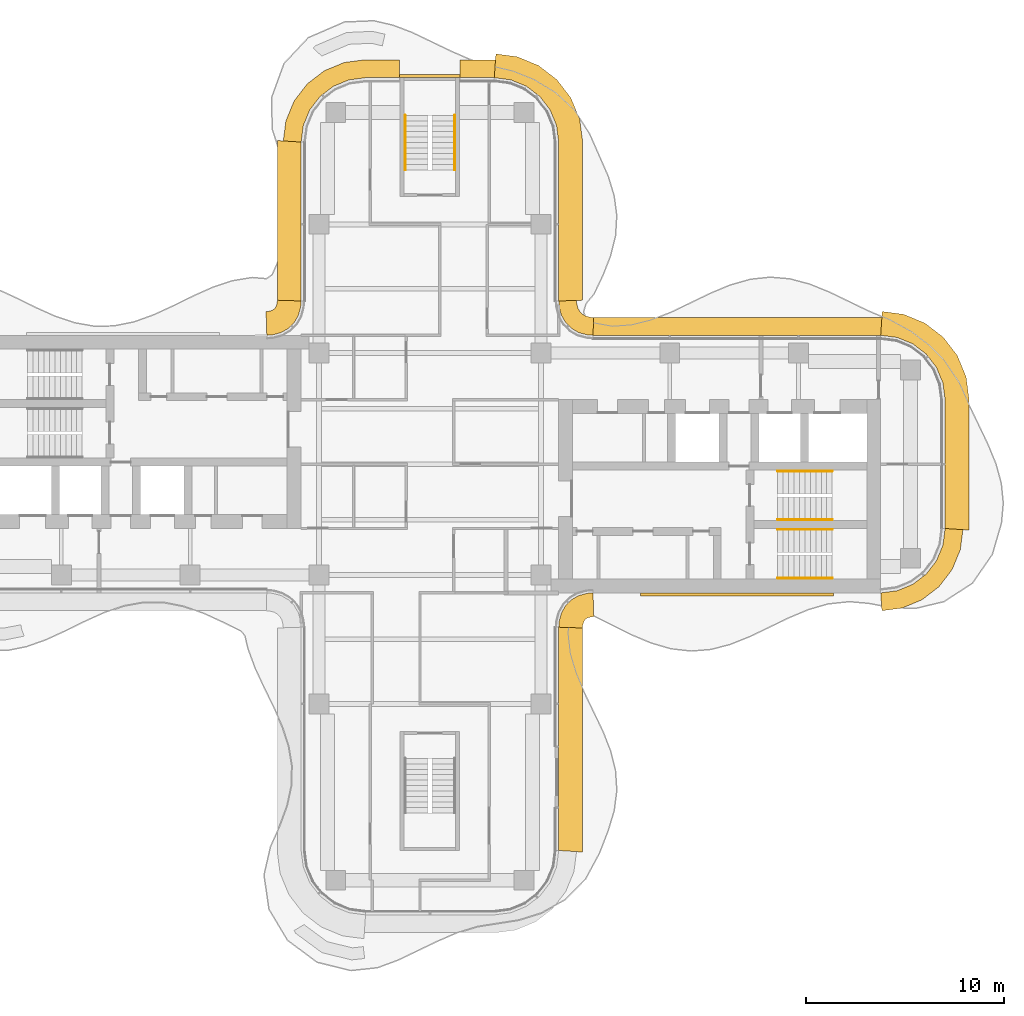
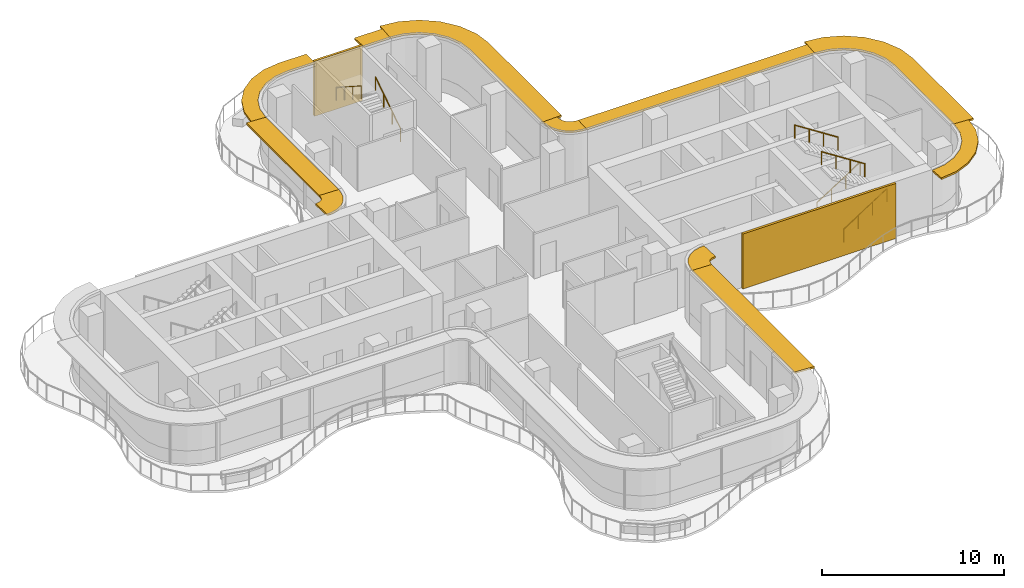
# One storey, part 16 of 16: 11 shading devices, 6 railings, 2 coverings.
"""IFC4 building model written with IfcOpenShell, lengths in metres."""

from ifc_helpers import new_model, si_unit, direction, frame, origin, origin_2d, place, context, subcontext, project, spatial, polyline, circle, outline, extrude, source, transform, mapped, material, layer, layer_set, type_object, element, save


model = new_model("IFC4")

# Units and contexts
model_context = context("Model", 3, precision=1e-05, world=origin(), true_north=direction((0.0, 1.0)))
body_context = subcontext(model_context, "Body", "Model", "MODEL_VIEW")
ifc_project = project(units=[si_unit("LENGTHUNIT", "METRE"), si_unit("AREAUNIT", "SQUARE_METRE"), si_unit("VOLUMEUNIT", "CUBIC_METRE"), si_unit("PLANEANGLEUNIT", "RADIAN"), si_unit("MASSUNIT", "GRAM", prefix="KILO")], contexts=[model_context])

# Site, building, storey
site_placement = place(None, origin())
site = spatial("IfcSite", under=ifc_project, at=site_placement, CompositionType="ELEMENT")
building_placement = place(site_placement, origin())
building = spatial("IfcBuilding", under=site, at=building_placement, Name="Trellis Farm Tower", CompositionType="ELEMENT")
storey_placement = place(building_placement, frame((0.0, 0.0, 322.300048828125)))
storey = spatial("IfcBuildingStorey", under=building, at=storey_placement, Name="L73", CompositionType="ELEMENT", Elevation=322.300048828125)

# Railings
ifc_material_1 = material(Name="Stainless steel", Category="steel")
railing_type = type_object("IfcRailingType", Name="STAIR HANDRAIL 900", PredefinedType="HANDRAIL", material=ifc_material_1)
shared_shape_1 = source(origin(), body_context, "Body", "SweptSolid", [
    extrude(circle(Radius=0.02392578125, at=origin_2d()), frame((0.0, 0.0, 0.8759765625), z_axis=(0.0, 0.840503830235, 0.541805602924), x_axis=(-1.0, 0.0, 0.0)), (0.0, 0.0, 1.0), 3.271728515625),
    extrude(circle(Radius=0.02099609375, at=origin_2d()), origin(), (0.0, 0.0, 1.0), 0.851806640625),
    extrude(circle(Radius=0.02099609375, at=origin_2d()), frame((0.0, 0.916748046875, 0.5908203125)), (0.0, 0.0, 1.0), 0.851806640625),
    extrude(circle(Radius=0.02099609375, at=origin_2d()), frame((0.0, 1.833251953125, 1.181884765625)), (0.0, 0.0, 1.0), 0.851806640625),
    extrude(circle(Radius=0.02099609375, at=origin_2d()), frame((0.0, 2.75, 1.772705078125)), (0.0, 0.0, 1.0), 0.851806640625),
])
railing_1_placement = place(storey_placement, frame((1.25, 14.85009765625, 0.17724609375)))
element("IfcRailing", 1, at=railing_1_placement, inside=storey, type_object=railing_type, Name="Stair handrail", PredefinedType="HANDRAIL", context=body_context, shape_type="MappedRepresentation", body=[
    mapped(shared_shape_1, transform((0.0, 0.0, 0.0))),
])
shared_shape_2 = source(origin(), body_context, "Body", "SweptSolid", [
    extrude(circle(Radius=0.02392578125, at=origin_2d()), frame((0.0, 0.0, 0.8759765625), z_axis=(0.0, -0.840503830235, 0.541805602924), x_axis=(1.0, 0.0, 0.0)), (0.0, 0.0, 1.0), 3.271728515625),
    extrude(circle(Radius=0.02099609375, at=origin_2d()), origin(), (0.0, 0.0, 1.0), 0.851806640625),
    extrude(circle(Radius=0.02099609375, at=origin_2d()), frame((0.0, -0.916748046875, 0.5908203125)), (0.0, 0.0, 1.0), 0.851806640625),
    extrude(circle(Radius=0.02099609375, at=origin_2d()), frame((0.0, -1.833251953125, 1.181884765625)), (0.0, 0.0, 1.0), 0.851806640625),
    extrude(circle(Radius=0.02099609375, at=origin_2d()), frame((0.0, -2.75, 1.772705078125)), (0.0, 0.0, 1.0), 0.851806640625),
])
railing_2_placement = place(storey_placement, frame((-1.25, 17.60009765625, 2.127197265625)))
element("IfcRailing", 2, at=railing_2_placement, inside=storey, type_object=railing_type, Name="Stair handrail", PredefinedType="HANDRAIL", context=body_context, shape_type="MappedRepresentation", body=[
    mapped(shared_shape_2, transform((0.0, 0.0, 0.0))),
])
shared_shape_3 = source(origin(), body_context, "Body", "SweptSolid", [
    extrude(circle(Radius=0.02392578125, at=origin_2d()), frame((0.0, 0.0, 0.8759765625), z_axis=(0.840503830235, 0.0, 0.541805602924), x_axis=(0.0, 1.0, 0.0)), (0.0, 0.0, 1.0), 3.271728515625),
    extrude(circle(Radius=0.02099609375, at=origin_2d()), origin(), (0.0, 0.0, 1.0), 0.851806640625),
    extrude(circle(Radius=0.02099609375, at=origin_2d()), frame((0.916748046875, 0.0, 0.5908203125)), (0.0, 0.0, 1.0), 0.851806640625),
    extrude(circle(Radius=0.02099609375, at=origin_2d()), frame((1.833251953125, 0.0, 1.181884765625)), (0.0, 0.0, 1.0), 0.851806640625),
    extrude(circle(Radius=0.02099609375, at=origin_2d()), frame((2.75, 0.0, 1.772705078125)), (0.0, 0.0, 1.0), 0.851806640625),
])
for number, where, name in (
    (3, (17.550048828125, -5.75, 0.17724609375), "Stair handrail"),
    (4, (17.550048828125, -2.800048828125, 0.17724609375), "Stair handrail"),
):
    element("IfcRailing", number, at=place(storey_placement, frame(where)), inside=storey, type_object=railing_type, Name=name, PredefinedType="HANDRAIL", context=body_context, shape_type="MappedRepresentation", body=[
        mapped(shared_shape_3, transform((0.0, 0.0, 0.0))),
    ])
shared_shape_4 = source(origin(), body_context, "Body", "SweptSolid", [
    extrude(circle(Radius=0.02392578125, at=origin_2d()), frame((0.0, 0.0, 0.8759765625), z_axis=(-0.840503830235, 0.0, 0.541805602924), x_axis=(0.0, -1.0, 0.0)), (0.0, 0.0, 1.0), 3.271728515625),
    extrude(circle(Radius=0.02099609375, at=origin_2d()), origin(), (0.0, 0.0, 1.0), 0.851806640625),
    extrude(circle(Radius=0.02099609375, at=origin_2d()), frame((-0.916748046875, 0.0, 0.5908203125)), (0.0, 0.0, 1.0), 0.851806640625),
    extrude(circle(Radius=0.02099609375, at=origin_2d()), frame((-1.833251953125, 0.0, 1.181884765625)), (0.0, 0.0, 1.0), 0.851806640625),
    extrude(circle(Radius=0.02099609375, at=origin_2d()), frame((-2.75, 0.0, 1.772705078125)), (0.0, 0.0, 1.0), 0.851806640625),
])
for number, where, name in (
    (5, (20.300048828125, -3.300048828125, 2.127197265625), "Stair handrail"),
    (6, (20.300048828125, -0.35009765625, 2.127197265625), "Stair handrail"),
):
    element("IfcRailing", number, at=place(storey_placement, frame(where)), inside=storey, type_object=railing_type, Name=name, PredefinedType="HANDRAIL", context=body_context, shape_type="MappedRepresentation", body=[
        mapped(shared_shape_4, transform((0.0, 0.0, 0.0))),
    ])

# Shading devices
ifc_material_2 = material(Name="Aluminium extrusion 6063-T6", Category="aluminium")
ifc_layer_1 = layer(ifc_material_2, 0.1201171875)
ifc_layer_set_1 = layer_set([ifc_layer_1], Name="SUNSHADE BLADE 1200")
shading_device_type_1 = type_object("IfcShadingDeviceType", Name="SUNSHADE BLADE 1200", PredefinedType="USERDEFINED", material=ifc_layer_set_1)
shared_shape_5 = source(origin(), body_context, "Body", "SweptSolid", [
    extrude(outline(polyline([(7.699951171875, -8.270751953125), (7.708740234375, -8.13720703125), (7.70703125, -8.150146484375), (7.7548828125, -7.9716796875), (7.80712890625, -7.881103515625), (7.881103515625, -7.80712890625), (7.9716796875, -7.7548828125), (8.150146484375, -7.70703125), (8.13720703125, -7.708740234375), (8.270751953125, -7.699951171875), (8.2314453125, -6.5), (8.01953125, -6.513916015625), (7.91552734375, -6.527587890625), (7.508544921875, -6.63671875), (7.144287109375, -6.846923828125), (6.846923828125, -7.144287109375), (6.63671875, -7.508544921875), (6.527587890625, -7.91552734375), (6.513916015625, -8.01953125), (6.5, -8.2314453125), (7.699951171875, -8.270751953125)])), origin(), (0.0, 0.0, 1.0), 0.119873046875),
])
placement_1 = place(storey_placement, frame((0.0, 0.0, 3.5400390625)))
element("IfcShadingDevice", 7, at=placement_1, inside=storey, type_object=shading_device_type_1, Name="SD2 006", ObjectType="SUNSHADE", PredefinedType="USERDEFINED", context=body_context, shape_type="MappedRepresentation", body=[
    mapped(shared_shape_5, transform((0.0, 0.0, 0.0))),
])
ifc_layer_2 = layer(ifc_material_2, 0.1201171875)
ifc_layer_set_2 = layer_set([ifc_layer_2], Name="SUNSHADE BLADE 900")
shading_device_type_2 = type_object("IfcShadingDeviceType", Name="SUNSHADE BLADE 900", PredefinedType="USERDEFINED", material=ifc_layer_set_2)
shared_shape_6 = source(origin(), body_context, "Body", "SweptSolid", [
    extrude(outline(polyline([(8.2607421875, 7.39990234375), (8.107666015625, 7.409912109375), (8.091552734375, 7.412109375), (7.85595703125, 7.475341796875), (7.697021484375, 7.567138671875), (7.567138671875, 7.697021484375), (7.475341796875, 7.85595703125), (7.412109375, 8.091552734375), (7.409912109375, 8.107666015625), (7.39990234375, 8.2607421875), (6.5, 8.2314453125), (6.513916015625, 8.01953125), (6.527587890625, 7.91552734375), (6.63671875, 7.508544921875), (6.846923828125, 7.144287109375), (7.144287109375, 6.846923828125), (7.508544921875, 6.63671875), (7.91552734375, 6.527587890625), (8.01953125, 6.513916015625), (8.2314453125, 6.5), (8.2607421875, 7.39990234375)])), origin(), (0.0, 0.0, 1.0), 0.119873046875),
])
element("IfcShadingDevice", 8, at=placement_1, inside=storey, type_object=shading_device_type_2, Name="SD1 010", ObjectType="SUNSHADE", PredefinedType="USERDEFINED", context=body_context, shape_type="MappedRepresentation", body=[
    mapped(shared_shape_6, transform((0.0, 0.0, 0.0))),
])
shared_shape_7 = source(origin(), body_context, "Body", "SweptSolid", [
    extrude(outline(polyline([(-7.699951171875, 8.270751953125), (-7.708740234375, 8.13720703125), (-7.70703125, 8.150146484375), (-7.7548828125, 7.9716796875), (-7.80712890625, 7.881103515625), (-7.881103515625, 7.80712890625), (-7.9716796875, 7.7548828125), (-8.150146484375, 7.70703125), (-8.13720703125, 7.708740234375), (-8.270751953125, 7.699951171875), (-8.2314453125, 6.5), (-8.01953125, 6.513916015625), (-7.91552734375, 6.527587890625), (-7.508544921875, 6.63671875), (-7.144287109375, 6.846923828125), (-6.846923828125, 7.144287109375), (-6.63671875, 7.508544921875), (-6.527587890625, 7.91552734375), (-6.513916015625, 8.01953125), (-6.5, 8.2314453125), (-7.699951171875, 8.270751953125)])), origin(), (0.0, 0.0, 1.0), 0.119873046875),
])
element("IfcShadingDevice", 9, at=placement_1, inside=storey, type_object=shading_device_type_1, Name="SD2 015", ObjectType="SUNSHADE", PredefinedType="USERDEFINED", context=body_context, shape_type="MappedRepresentation", body=[
    mapped(shared_shape_7, transform((0.0, 0.0, 0.0))),
])

# Covering
ifc_material_3 = material(Name="Perforated precast screen (cobogo)", Category="concrete")
ifc_layer_3 = layer(ifc_material_3, 0.14990234375)
ifc_layer_set_3 = layer_set([ifc_layer_3], Name="COBOGO SCREEN PANEL")
covering_type = type_object("IfcCoveringType", Name="COBOGO SCREEN PANEL", PredefinedType="USERDEFINED", material=ifc_layer_set_3)
shared_shape_8 = source(origin(), body_context, "Body", "SweptSolid", [
    extrude(outline(polyline([(10.61572265625, -6.64990234375), (20.36572265625, -6.64990234375), (20.36572265625, -6.5), (10.61572265625, -6.5), (10.61572265625, -6.64990234375)])), origin(), (0.0, 0.0, 1.0), 3.699951171875),
])
placement_2 = place(storey_placement, origin())
element("IfcCovering", 10, at=placement_2, inside=storey, type_object=covering_type, Name="SC1 01", ObjectType="SCREEN", PredefinedType="USERDEFINED", context=body_context, shape_type="MappedRepresentation", body=[
    mapped(shared_shape_8, transform((0.0, 0.0, 0.0))),
])

# Shading devices
shared_shape_9 = source(origin(), body_context, "Body", "SweptSolid", [
    extrude(outline(polyline([(22.80908203125, -7.39990234375), (23.826171875, -7.26611328125), (24.828857421875, -6.850830078125), (25.68994140625, -6.18994140625), (26.350830078125, -5.328857421875), (26.76611328125, -4.326171875), (26.89990234375, -3.30908203125), (26.0, -3.25), (25.88916015625, -4.091064453125), (25.564697265625, -4.875), (25.048095703125, -5.548095703125), (24.375, -6.064697265625), (23.591064453125, -6.38916015625), (22.75, -6.5), (22.80908203125, -7.39990234375)])), origin(), (0.0, 0.0, 1.0), 0.119873046875),
])
element("IfcShadingDevice", 11, at=placement_1, inside=storey, type_object=shading_device_type_2, Name="SD1 007", ObjectType="SUNSHADE", PredefinedType="USERDEFINED", context=body_context, shape_type="MappedRepresentation", body=[
    mapped(shared_shape_9, transform((0.0, 0.0, 0.0))),
])
shared_shape_10 = source(origin(), body_context, "Body", "SweptSolid", [
    extrude(outline(polyline([(27.199951171875, -3.32861328125), (27.199951171875, 3.32861328125), (27.058349609375, 4.404541015625), (26.61279296875, 5.480224609375), (25.904052734375, 6.404052734375), (24.980224609375, 7.11279296875), (23.904541015625, 7.558349609375), (22.82861328125, 7.699951171875), (22.75, 6.5), (23.591064453125, 6.38916015625), (24.375, 6.064697265625), (25.048095703125, 5.548095703125), (25.564697265625, 4.875), (25.88916015625, 4.091064453125), (26.0, 3.25), (26.0, -3.25), (27.199951171875, -3.32861328125)])), origin(), (0.0, 0.0, 1.0), 0.119873046875),
])
element("IfcShadingDevice", 12, at=placement_1, inside=storey, type_object=shading_device_type_1, Name="SD2 008", ObjectType="SUNSHADE", PredefinedType="USERDEFINED", context=body_context, shape_type="MappedRepresentation", body=[
    mapped(shared_shape_10, transform((0.0, 0.0, 0.0))),
])
shared_shape_11 = source(origin(), body_context, "Body", "SweptSolid", [
    extrude(outline(polyline([(22.80908203125, 7.39990234375), (8.2607421875, 7.39990234375), (8.2314453125, 6.5), (22.75, 6.5), (22.80908203125, 7.39990234375)])), origin(), (0.0, 0.0, 1.0), 0.119873046875),
])
element("IfcShadingDevice", 13, at=placement_1, inside=storey, type_object=shading_device_type_2, Name="SD1 009", ObjectType="SUNSHADE", PredefinedType="USERDEFINED", context=body_context, shape_type="MappedRepresentation", body=[
    mapped(shared_shape_11, transform((0.0, 0.0, 0.0))),
])
shared_shape_12 = source(origin(), body_context, "Body", "SweptSolid", [
    extrude(outline(polyline([(7.699951171875, -19.57861328125), (7.699951171875, -8.270751953125), (6.5, -8.2314453125), (6.5, -19.5), (7.699951171875, -19.57861328125)])), origin(), (0.0, 0.0, 1.0), 0.119873046875),
])
element("IfcShadingDevice", 14, at=placement_1, inside=storey, type_object=shading_device_type_1, Name="SD2 005", ObjectType="SUNSHADE", PredefinedType="USERDEFINED", context=body_context, shape_type="MappedRepresentation", body=[
    mapped(shared_shape_12, transform((0.0, 0.0, 0.0))),
])

# Covering
shared_shape_13 = source(origin(), body_context, "Body", "SweptSolid", [
    extrude(outline(polyline([(1.530029296875, 19.64990234375), (-1.530029296875, 19.64990234375), (-1.530029296875, 19.5), (1.530029296875, 19.5), (1.530029296875, 19.64990234375)])), origin(), (0.0, 0.0, 1.0), 3.699951171875),
])
element("IfcCovering", 15, at=placement_2, inside=storey, type_object=covering_type, Name="SC1 02", ObjectType="SCREEN", PredefinedType="USERDEFINED", context=body_context, shape_type="MappedRepresentation", body=[
    mapped(shared_shape_13, transform((0.0, 0.0, 0.0))),
])

# Shading devices
shared_shape_14 = source(origin(), body_context, "Body", "SweptSolid", [
    extrude(outline(polyline([(7.699951171875, 8.270751953125), (7.699951171875, 16.32861328125), (7.558349609375, 17.404541015625), (7.11279296875, 18.480224609375), (6.404052734375, 19.404052734375), (5.480224609375, 20.11279296875), (4.404541015625, 20.558349609375), (3.32861328125, 20.699951171875), (3.25, 19.5), (4.091064453125, 19.38916015625), (4.875, 19.064697265625), (5.548095703125, 18.548095703125), (6.064697265625, 17.875), (6.38916015625, 17.091064453125), (6.5, 16.25), (6.5, 8.2314453125), (7.699951171875, 8.270751953125)])), origin(), (0.0, 0.0, 1.0), 0.119873046875),
])
element("IfcShadingDevice", 16, at=placement_1, inside=storey, type_object=shading_device_type_1, Name="SD2 011", ObjectType="SUNSHADE", PredefinedType="USERDEFINED", context=body_context, shape_type="MappedRepresentation", body=[
    mapped(shared_shape_14, transform((0.0, 0.0, 0.0))),
])
shared_shape_15 = source(origin(), body_context, "Body", "SweptSolid", [
    extrude(outline(polyline([(3.30908203125, 20.39990234375), (1.530029296875, 20.39990234375), (1.530029296875, 19.5), (3.25, 19.5), (3.30908203125, 20.39990234375)])), origin(), (0.0, 0.0, 1.0), 0.119873046875),
])
element("IfcShadingDevice", 17, at=placement_1, inside=storey, type_object=shading_device_type_2, Name="SD1 012", ObjectType="SUNSHADE", PredefinedType="USERDEFINED", context=body_context, shape_type="MappedRepresentation", body=[
    mapped(shared_shape_15, transform((0.0, 0.0, 0.0))),
])
shared_shape_16 = source(origin(), body_context, "Body", "SweptSolid", [
    extrude(outline(polyline([(-1.530029296875, 20.39990234375), (-3.30908203125, 20.39990234375), (-4.326171875, 20.26611328125), (-5.328857421875, 19.850830078125), (-6.18994140625, 19.18994140625), (-6.850830078125, 18.328857421875), (-7.26611328125, 17.326171875), (-7.39990234375, 16.30908203125), (-6.5, 16.25), (-6.38916015625, 17.091064453125), (-6.064697265625, 17.875), (-5.548095703125, 18.548095703125), (-4.875, 19.064697265625), (-4.091064453125, 19.38916015625), (-3.25, 19.5), (-1.530029296875, 19.5), (-1.530029296875, 20.39990234375)])), origin(), (0.0, 0.0, 1.0), 0.119873046875),
])
element("IfcShadingDevice", 18, at=placement_1, inside=storey, type_object=shading_device_type_2, Name="SD1 013", ObjectType="SUNSHADE", PredefinedType="USERDEFINED", context=body_context, shape_type="MappedRepresentation", body=[
    mapped(shared_shape_16, transform((0.0, 0.0, 0.0))),
])
shared_shape_17 = source(origin(), body_context, "Body", "SweptSolid", [
    extrude(outline(polyline([(-7.699951171875, 16.32861328125), (-7.699951171875, 8.270751953125), (-6.5, 8.2314453125), (-6.5, 16.25), (-7.699951171875, 16.32861328125)])), origin(), (0.0, 0.0, 1.0), 0.119873046875),
])
element("IfcShadingDevice", 19, at=placement_1, inside=storey, type_object=shading_device_type_1, Name="SD2 014", ObjectType="SUNSHADE", PredefinedType="USERDEFINED", context=body_context, shape_type="MappedRepresentation", body=[
    mapped(shared_shape_17, transform((0.0, 0.0, 0.0))),
])

save(model, "model.ifc")
